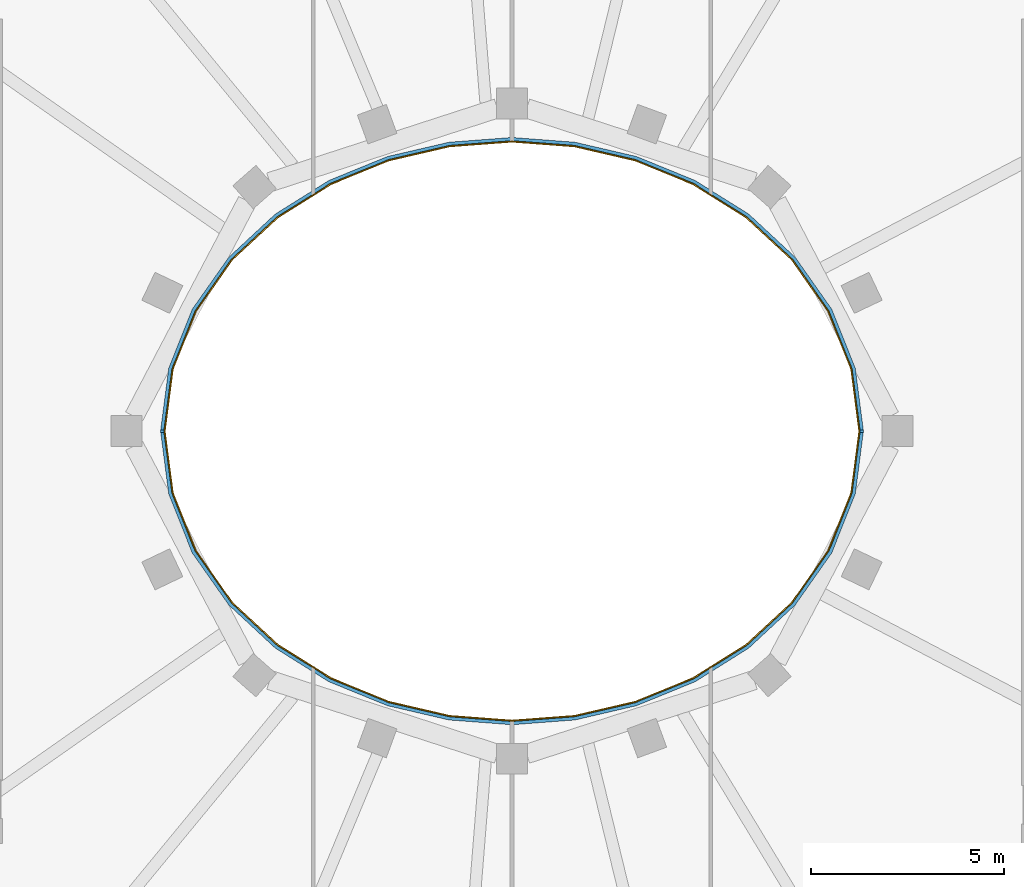
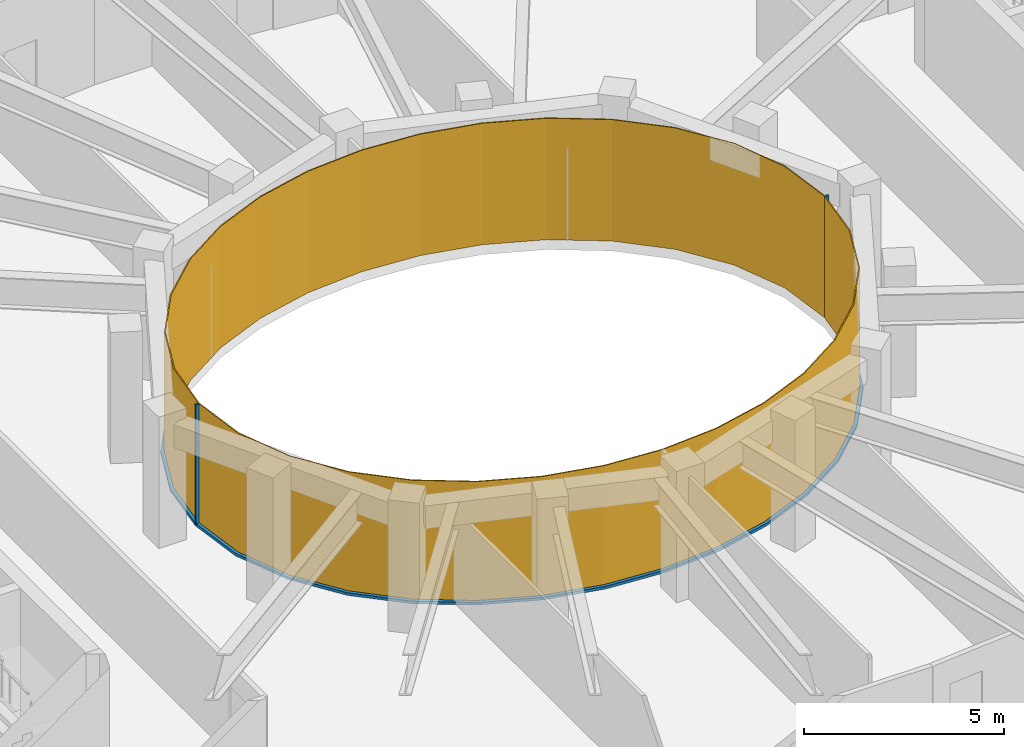
# One storey, part 10 of 15: 4 members, 2 curtain walls.
"""IFC4 building model written with IfcOpenShell, lengths in metres."""

from ifc_helpers import new_model, si_unit, direction, frame, origin, origin_2d, place, context, subcontext, project, spatial, polyline, rectangle, outline, extrude, material, layer, layer_set, material_profile, profile_set, type_object, element, aggregate, save


model = new_model("IFC4")

# Units and contexts
model_context = context("Model", 3, precision=1e-05, world=origin(), true_north=direction((0.0, 1.0)))
body_context = subcontext(model_context, "Body", "Model", "MODEL_VIEW")
ifc_project = project(units=[si_unit("LENGTHUNIT", "METRE"), si_unit("AREAUNIT", "SQUARE_METRE"), si_unit("VOLUMEUNIT", "CUBIC_METRE"), si_unit("PLANEANGLEUNIT", "RADIAN"), si_unit("MASSUNIT", "GRAM", prefix="KILO")], contexts=[model_context])

# Member
ifc_material_1 = material(Name="Steel S355 fire-resisting frame", Category="steel")
ifc_material_profile = material_profile(ifc_material_1, rectangle(XDim=0.090087890625, YDim=0.06005859375, at=origin_2d()), Name="90x60")
ifc_profile_set = profile_set([ifc_material_profile], Name="Steel S355 fire-resisting frame")
member_type_1 = type_object("IfcMemberType", Name="ENV-MULLION-W-90", PredefinedType="MULLION", material=ifc_profile_set)
site_placement = place(None, origin())
building_placement = place(site_placement, origin())
storey_placement = place(building_placement, frame((0.0, 0.0, 331.0)))
member_1_placement = place(storey_placement, frame((9.076904296875, 0.0, 0.0), z_axis=(0.0, 0.0, 1.0), x_axis=(1.0, 0.0, 0.0)))
member_1 = element("IfcMember", 1, at=member_1_placement, type_object=member_type_1, Name="Mullion W well vertex 01", PredefinedType="MULLION", context=body_context, shape_type="SweptSolid", body=[
    extrude(rectangle(XDim=0.090087890625, YDim=0.06005859375, at=origin_2d()), origin(), (0.0, 0.0, 1.0), 3.699951171875),
])

member_2_placement = place(storey_placement, frame((-9.076904296875, 0.0, 0.0), z_axis=(0.0, 0.0, 1.0), x_axis=(-1.0, 0.0, 0.0)))
member_2 = element("IfcMember", 2, at=member_2_placement, type_object=member_type_1, Name="Mullion W well vertex 17", PredefinedType="MULLION", context=body_context, shape_type="SweptSolid", body=[
    extrude(rectangle(XDim=0.090087890625, YDim=0.06005859375, at=origin_2d()), origin(), (0.0, 0.0, 1.0), 3.699951171875),
])

ifc_material_2 = material(Name="Steel S355 fire-resisting frame", Category="steel")
member_type_2 = type_object("IfcMemberType", Name="ENV-TRANSOM-W", PredefinedType="USERDEFINED", material=ifc_material_2)
member_3_placement = place(storey_placement, origin())
member_3 = element("IfcMember", 3, at=member_3_placement, type_object=member_type_2, Name="Transom W well 01-17", ObjectType="TRANSOM", PredefinedType="USERDEFINED", context=body_context, shape_type="SweptSolid", body=[
    extrude(outline(polyline([(9.119384765625, 0.02783203125), (8.910400390625, 1.63623046875), (8.29833984375, 3.167236328125), (7.35107421875, 4.5146484375), (6.1455078125, 5.6337890625), (4.75341796875, 6.50634765625), (3.233642578125, 7.127685546875), (1.635498046875, 7.498779296875), (0.0, 7.622314453125), (-1.635498046875, 7.498779296875), (-3.233642578125, 7.127685546875), (-4.75341796875, 6.50634765625), (-6.1455078125, 5.6337890625), (-7.35107421875, 4.5146484375), (-8.29833984375, 3.167236328125), (-8.910400390625, 1.63623046875), (-9.119384765625, 0.02783203125), (-9.02880859375, 0.02783203125), (-8.822509765625, 1.61328125), (-8.21875, 3.124267578125), (-7.282958984375, 4.455078125), (-6.090576171875, 5.56201171875), (-4.712158203125, 6.426025390625), (-3.206298828125, 7.04150390625), (-1.621826171875, 7.40966796875), (0.0, 7.531982421875), (1.621826171875, 7.40966796875), (3.206298828125, 7.04150390625), (4.712158203125, 6.426025390625), (6.090576171875, 5.56201171875), (7.282958984375, 4.455078125), (8.21875, 3.124267578125), (8.822509765625, 1.61328125), (9.02880859375, 0.02783203125), (9.119384765625, 0.02783203125)])), origin(), (0.0, 0.0, 1.0), 0.080078125),
])

member_4_placement = place(storey_placement, origin())
member_4 = element("IfcMember", 4, at=member_4_placement, type_object=member_type_2, Name="Transom W well 17-01", ObjectType="TRANSOM", PredefinedType="USERDEFINED", context=body_context, shape_type="SweptSolid", body=[
    extrude(outline(polyline([(-9.119384765625, -0.02783203125), (-8.910400390625, -1.63623046875), (-8.29833984375, -3.167236328125), (-7.35107421875, -4.5146484375), (-6.1455078125, -5.6337890625), (-4.75341796875, -6.50634765625), (-3.233642578125, -7.127685546875), (-1.635498046875, -7.498779296875), (0.0, -7.622314453125), (1.635498046875, -7.498779296875), (3.233642578125, -7.127685546875), (4.75341796875, -6.50634765625), (6.1455078125, -5.6337890625), (7.35107421875, -4.5146484375), (8.29833984375, -3.167236328125), (8.910400390625, -1.63623046875), (9.119384765625, -0.02783203125), (9.02880859375, -0.02783203125), (8.822509765625, -1.61328125), (8.21875, -3.124267578125), (7.282958984375, -4.455078125), (6.090576171875, -5.56201171875), (4.712158203125, -6.426025390625), (3.206298828125, -7.04150390625), (1.621826171875, -7.40966796875), (0.0, -7.531982421875), (-1.621826171875, -7.40966796875), (-3.206298828125, -7.04150390625), (-4.712158203125, -6.426025390625), (-6.090576171875, -5.56201171875), (-7.282958984375, -4.455078125), (-8.21875, -3.124267578125), (-8.822509765625, -1.61328125), (-9.02880859375, -0.02783203125), (-9.119384765625, -0.02783203125)])), origin(), (0.0, 0.0, 1.0), 0.080078125),
])

# Site, building, storey
site = spatial("IfcSite", under=ifc_project, at=site_placement, CompositionType="ELEMENT")
building = spatial("IfcBuilding", under=site, at=building_placement, Name="Noorbagh Ring Tower", CompositionType="ELEMENT")
storey = spatial("IfcBuildingStorey", under=building, at=storey_placement, Name="L72", CompositionType="ELEMENT", Elevation=331.0)

# Curtain wall
ifc_material_3 = material(Name="Glass fire-resisting E60 laminated", Category="glass")
ifc_layer = layer(ifc_material_3, 0.031982421875)
ifc_layer_set = layer_set([ifc_layer], Name="Glass fire-resisting E60 laminated")
curtain_wall_type = type_object("IfcCurtainWallType", Name="ENV-CW-W", PredefinedType="NOTDEFINED", material=ifc_layer_set)
curtain_wall_1_placement = place(storey_placement, origin())
curtain_wall_1 = element("IfcCurtainWall", 5, at=curtain_wall_1_placement, inside=storey, type_object=curtain_wall_type, Name="Curtain wall W W01", PredefinedType="NOTDEFINED", context=body_context, shape_type="SweptSolid", body=[
    extrude(outline(polyline([(9.0322265625, 0.0), (8.822509765625, 1.61328125), (8.21875, 3.124267578125), (7.282958984375, 4.455078125), (6.090576171875, 5.56201171875), (4.712158203125, 6.426025390625), (3.206298828125, 7.04150390625), (1.621826171875, 7.40966796875), (0.0, 7.531982421875), (-1.621826171875, 7.40966796875), (-3.206298828125, 7.04150390625), (-4.712158203125, 6.426025390625), (-6.090576171875, 5.56201171875), (-7.282958984375, 4.455078125), (-8.21875, 3.124267578125), (-8.822509765625, 1.61328125), (-9.0322265625, 0.0), (-9.0, 0.0), (-8.79150390625, 1.605224609375), (-8.1904296875, 3.10888671875), (-7.2587890625, 4.43408203125), (-6.071044921875, 5.53662109375), (-4.697509765625, 6.3974609375), (-3.196533203125, 7.010986328125), (-1.6171875, 7.3779296875), (0.0, 7.5), (1.6171875, 7.3779296875), (3.196533203125, 7.010986328125), (4.697509765625, 6.3974609375), (6.071044921875, 5.53662109375), (7.2587890625, 4.43408203125), (8.1904296875, 3.10888671875), (8.79150390625, 1.605224609375), (9.0, 0.0), (9.0322265625, 0.0)])), origin(), (0.0, 0.0, 1.0), 3.699951171875),
])

aggregate(curtain_wall_1, [member_1, member_2, member_3])

curtain_wall_2_placement = place(storey_placement, origin())
curtain_wall_2 = element("IfcCurtainWall", 6, at=curtain_wall_2_placement, inside=storey, type_object=curtain_wall_type, Name="Curtain wall W W17", PredefinedType="NOTDEFINED", context=body_context, shape_type="SweptSolid", body=[
    extrude(outline(polyline([(-9.0322265625, 0.0), (-8.822509765625, -1.61328125), (-8.21875, -3.124267578125), (-7.282958984375, -4.455078125), (-6.090576171875, -5.56201171875), (-4.712158203125, -6.426025390625), (-3.206298828125, -7.04150390625), (-1.621826171875, -7.40966796875), (0.0, -7.531982421875), (1.621826171875, -7.40966796875), (3.206298828125, -7.04150390625), (4.712158203125, -6.426025390625), (6.090576171875, -5.56201171875), (7.282958984375, -4.455078125), (8.21875, -3.124267578125), (8.822509765625, -1.61328125), (9.0322265625, 0.0), (9.0, 0.0), (8.79150390625, -1.605224609375), (8.1904296875, -3.10888671875), (7.2587890625, -4.43408203125), (6.071044921875, -5.53662109375), (4.697509765625, -6.3974609375), (3.196533203125, -7.010986328125), (1.6171875, -7.3779296875), (0.0, -7.5), (-1.6171875, -7.3779296875), (-3.196533203125, -7.010986328125), (-4.697509765625, -6.3974609375), (-6.071044921875, -5.53662109375), (-7.2587890625, -4.43408203125), (-8.1904296875, -3.10888671875), (-8.79150390625, -1.605224609375), (-9.0, 0.0), (-9.0322265625, 0.0)])), origin(), (0.0, 0.0, 1.0), 3.699951171875),
])

aggregate(curtain_wall_2, [member_4])

save(model, "model.ifc")
